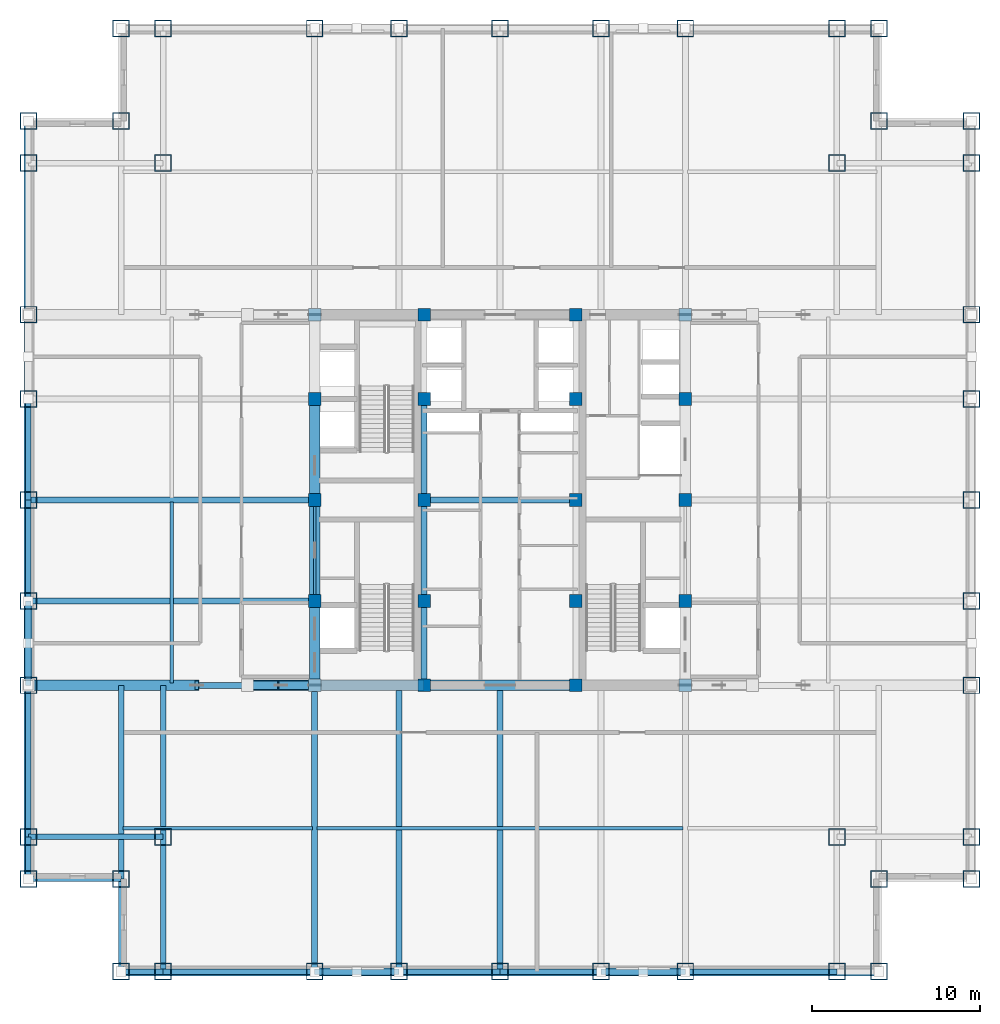
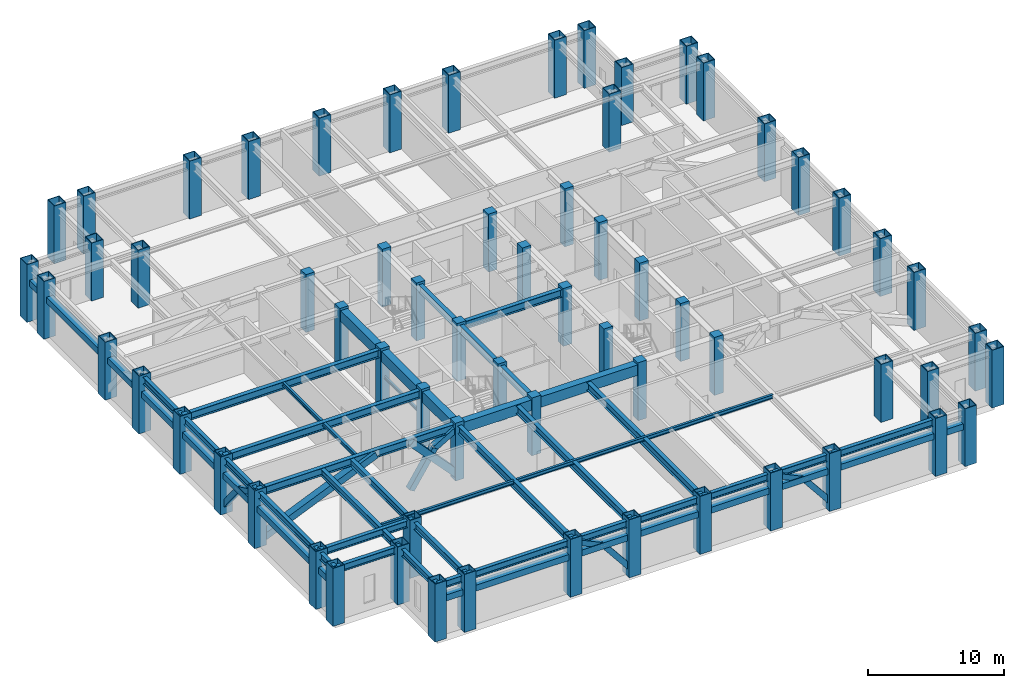
# One storey, part 1 of 11: 64 columns, 36 beams, 12 members.
"""IFC4 building model written with IfcOpenShell, lengths in metres."""

from ifc_helpers import new_model, si_unit, direction, frame, origin, origin_2d, place, context, subcontext, project, spatial, rectangle, hollow_rectangle, i_section, extrude, source, transform, mapped, material, material_profile, profile_set, type_object, element, save


model = new_model("IFC4")

# Units and contexts
model_context = context("Model", 3, precision=1e-05, world=origin(), true_north=direction((0.0, 1.0)))
body_context = subcontext(model_context, "Body", "Model", "MODEL_VIEW")
ifc_project = project(units=[si_unit("LENGTHUNIT", "METRE"), si_unit("AREAUNIT", "SQUARE_METRE"), si_unit("VOLUMEUNIT", "CUBIC_METRE"), si_unit("PLANEANGLEUNIT", "RADIAN"), si_unit("MASSUNIT", "GRAM", prefix="KILO")], contexts=[model_context])

# Site, building, storey
site_placement = place(None, origin())
site = spatial("IfcSite", under=ifc_project, at=site_placement, CompositionType="ELEMENT")
building_placement = place(site_placement, origin())
building = spatial("IfcBuilding", under=site, at=building_placement, Name="Khorayat Bourse Tower", CompositionType="ELEMENT")
storey_placement = place(building_placement, frame((0.0, 0.0, 268.300048828125)))
storey = spatial("IfcBuildingStorey", under=building, at=storey_placement, Name="L63", CompositionType="ELEMENT", Elevation=268.300048828125)

# Columns
ifc_material_1 = material(Name="Steel EN 10025-4 S460M", Category="steel")
ifc_material_profile_1 = material_profile(ifc_material_1, hollow_rectangle(XDim=1.0, YDim=1.0, WallThickness=0.054931640625, at=origin_2d()), Name="BOX 1000x1000x55")
ifc_profile_set_1 = profile_set([ifc_material_profile_1], Name="Steel EN 10025-4 S460M")
column_type_1 = type_object("IfcColumnType", Name="COL-TUBE-1000", PredefinedType="COLUMN", material=ifc_profile_set_1)
shared_shape_1 = source(origin(), body_context, "Body", "SweptSolid", [
    extrude(hollow_rectangle(XDim=1.0, YDim=1.0, WallThickness=0.054931640625, at=origin_2d()), origin(), (0.0, 0.0, 1.0), 5.199951171875),
])
for number, where, z_axis, x_axis, name in (
    (1, (-28.0, -22.5, 0.0), (0.0, 0.0, 1.0), (1.0, 0.0, 0.0), "L63 Column 001"),
    (2, (-28.0, -20.0, 0.0), (0.0, 0.0, 1.0), (1.0, 0.0, 0.0), "L63 Column 002"),
    (3, (-28.0, -11.0, 0.0), (0.0, 0.0, 1.0), (1.0, 0.0, 0.0), "L63 Column 003"),
    (4, (-28.0, -6.0, 0.0), (0.0, 0.0, 1.0), (1.0, 0.0, 0.0), "L63 Column 004"),
    (5, (-28.0, 0.0, 0.0), (0.0, 0.0, 1.0), (1.0, 0.0, 0.0), "L63 Column 005"),
    (6, (-28.0, 6.0, 0.0), (0.0, 0.0, 1.0), (1.0, 0.0, 0.0), "L63 Column 006"),
    (7, (-28.0, 11.0, 0.0), (0.0, 0.0, 1.0), (1.0, 0.0, 0.0), "L63 Column 007"),
    (8, (-28.0, 20.0, 0.0), (0.0, 0.0, 1.0), (1.0, 0.0, 0.0), "L63 Column 008"),
    (9, (-28.0, 22.5, 0.0), (0.0, 0.0, 1.0), (1.0, 0.0, 0.0), "L63 Column 009"),
    (10, (-22.5, -28.0, 0.0), (0.0, 0.0, 1.0), (1.0, 0.0, 0.0), "L63 Column 010"),
    (11, (-22.5, -22.5, 0.0), (0.0, 0.0, 1.0), (1.0, 0.0, 0.0), "L63 Column 011"),
    (12, (-22.5, 22.5, 0.0), (0.0, 0.0, 1.0), (1.0, 0.0, 0.0), "L63 Column 012"),
    (13, (-22.5, 28.0, 0.0), (0.0, 0.0, 1.0), (1.0, 0.0, 0.0), "L63 Column 013"),
    (14, (-20.0, -28.0, 0.0), (0.0, 0.0, 1.0), (1.0, 0.0, 0.0), "L63 Column 014"),
    (15, (-20.0, -20.0, 0.0), (0.0, 0.0, 1.0), (1.0, 0.0, 0.0), "L63 Column 015"),
    (16, (-20.0, 20.0, 0.0), (0.0, 0.0, 1.0), (1.0, 0.0, 0.0), "L63 Column 016"),
    (17, (-20.0, 28.0, 0.0), (0.0, 0.0, 1.0), (1.0, 0.0, 0.0), "L63 Column 017"),
    (18, (-11.0, -28.0, 0.0), (0.0, 0.0, 1.0), (1.0, 0.0, 0.0), "L63 Column 018"),
    (19, (-11.0, 28.0, 0.0), (0.0, 0.0, 1.0), (1.0, 0.0, 0.0), "L63 Column 024"),
    (20, (-6.0, -28.0, 0.0), (0.0, 0.0, 1.0), (1.0, 0.0, 0.0), "L63 Column 025"),
    (21, (-6.0, 28.0, 0.0), (0.0, 0.0, 1.0), (1.0, 0.0, 0.0), "L63 Column 026"),
    (22, (0.0, -28.0, 0.0), (0.0, 0.0, 1.0), (1.0, 0.0, 0.0), "L63 Column 032"),
    (23, (0.0, 28.0, 0.0), (0.0, 0.0, 1.0), (1.0, 0.0, 0.0), "L63 Column 033"),
    (24, (6.0, -28.0, 0.0), (0.0, 0.0, 1.0), (1.0, 0.0, 0.0), "L63 Column 039"),
    (25, (6.0, 28.0, 0.0), (0.0, 0.0, 1.0), (1.0, 0.0, 0.0), "L63 Column 040"),
    (26, (11.0, -28.0, 0.0), (0.0, 0.0, 1.0), (1.0, 0.0, 0.0), "L63 Column 041"),
    (27, (11.0, 28.0, 0.0), (0.0, 0.0, 1.0), (1.0, 0.0, 0.0), "L63 Column 047"),
    (28, (20.0, -28.0, 0.0), (0.0, 0.0, 1.0), (1.0, 0.0, 0.0), "L63 Column 048"),
    (29, (20.0, -20.0, 0.0), (0.0, 0.0, 1.0), (1.0, 0.0, 0.0), "L63 Column 049"),
    (30, (20.0, 20.0, 0.0), (0.0, 0.0, 1.0), (1.0, 0.0, 0.0), "L63 Column 050"),
    (31, (20.0, 28.0, 0.0), (0.0, 0.0, 1.0), (1.0, 0.0, 0.0), "L63 Column 051"),
    (32, (22.5, -28.0, 0.0), (0.0, 0.0, 1.0), (1.0, 0.0, 0.0), "L63 Column 052"),
    (33, (22.5, -22.5, 0.0), (0.0, 0.0, 1.0), (1.0, 0.0, 0.0), "L63 Column 053"),
    (34, (22.5, 22.5, 0.0), (0.0, 0.0, 1.0), (1.0, 0.0, 0.0), "L63 Column 054"),
    (35, (22.5, 28.0, 0.0), (0.0, 0.0, 1.0), (1.0, 0.0, 0.0), "L63 Column 055"),
    (36, (28.0, -22.5, 0.0), (0.0, 0.0, 1.0), (1.0, 0.0, 0.0), "L63 Column 056"),
    (37, (28.0, -20.0, 0.0), (0.0, 0.0, 1.0), (1.0, 0.0, 0.0), "L63 Column 057"),
    (38, (28.0, -11.0, 0.0), (0.0, 0.0, 1.0), (1.0, 0.0, 0.0), "L63 Column 058"),
    (39, (28.0, -6.0, 0.0), (0.0, 0.0, 1.0), (1.0, 0.0, 0.0), "L63 Column 059"),
    (40, (28.0, 0.0, 0.0), (0.0, 0.0, 1.0), (1.0, 0.0, 0.0), "L63 Column 060"),
    (41, (28.0, 6.0, 0.0), (0.0, 0.0, 1.0), (1.0, 0.0, 0.0), "L63 Column 061"),
    (42, (28.0, 11.0, 0.0), (0.0, 0.0, 1.0), (1.0, 0.0, 0.0), "L63 Column 062"),
    (43, (28.0, 20.0, 0.0), (0.0, 0.0, 1.0), (1.0, 0.0, 0.0), "L63 Column 063"),
    (44, (28.0, 22.5, 0.0), (0.0, 0.0, 1.0), (1.0, 0.0, 0.0), "L63 Column 064"),
):
    element("IfcColumn", number, at=place(storey_placement, frame(where, z_axis=z_axis, x_axis=x_axis)), inside=storey, type_object=column_type_1, Name=name, PredefinedType="COLUMN", context=body_context, shape_type="MappedRepresentation", body=[
        mapped(shared_shape_1, transform((0.0, 0.0, 0.0), scale=1.0)),
    ])
ifc_material_2 = material(Name="Concrete C52/65", Category="concrete")
ifc_material_profile_2 = material_profile(ifc_material_2, rectangle(XDim=0.75, YDim=0.75, at=origin_2d()), Name="RC 750x750")
ifc_profile_set_2 = profile_set([ifc_material_profile_2], Name="Concrete C52/65")
column_type_2 = type_object("IfcColumnType", Name="COL-CORE-750", PredefinedType="COLUMN", material=ifc_profile_set_2)
shared_shape_2 = source(origin(), body_context, "Body", "SweptSolid", [
    extrude(rectangle(XDim=0.75, YDim=0.75, at=origin_2d()), origin(), (0.0, 0.0, 1.0), 5.199951171875),
])
for number, where, z_axis, x_axis, name in (
    (45, (-11.0, -11.0, 0.0), (0.0, 0.0, 1.0), (1.0, 0.0, 0.0), "L63 Column 019"),
    (46, (-11.0, -6.0, 0.0), (0.0, 0.0, 1.0), (1.0, 0.0, 0.0), "L63 Column 020"),
    (47, (-11.0, 0.0, 0.0), (0.0, 0.0, 1.0), (1.0, 0.0, 0.0), "L63 Column 021"),
    (48, (-11.0, 6.0, 0.0), (0.0, 0.0, 1.0), (1.0, 0.0, 0.0), "L63 Column 022"),
    (49, (-11.0, 11.0, 0.0), (0.0, 0.0, 1.0), (1.0, 0.0, 0.0), "L63 Column 023"),
    (50, (-4.5, -11.0, 0.0), (0.0, 0.0, 1.0), (1.0, 0.0, 0.0), "L63 Column 027"),
    (51, (-4.5, -6.0, 0.0), (0.0, 0.0, 1.0), (1.0, 0.0, 0.0), "L63 Column 028"),
    (52, (-4.5, 0.0, 0.0), (0.0, 0.0, 1.0), (1.0, 0.0, 0.0), "L63 Column 029"),
    (53, (-4.5, 6.0, 0.0), (0.0, 0.0, 1.0), (1.0, 0.0, 0.0), "L63 Column 030"),
    (54, (-4.5, 11.0, 0.0), (0.0, 0.0, 1.0), (1.0, 0.0, 0.0), "L63 Column 031"),
    (55, (4.5, -11.0, 0.0), (0.0, 0.0, 1.0), (1.0, 0.0, 0.0), "L63 Column 034"),
    (56, (4.5, -6.0, 0.0), (0.0, 0.0, 1.0), (1.0, 0.0, 0.0), "L63 Column 035"),
    (57, (4.5, 0.0, 0.0), (0.0, 0.0, 1.0), (1.0, 0.0, 0.0), "L63 Column 036"),
    (58, (4.5, 6.0, 0.0), (0.0, 0.0, 1.0), (1.0, 0.0, 0.0), "L63 Column 037"),
    (59, (4.5, 11.0, 0.0), (0.0, 0.0, 1.0), (1.0, 0.0, 0.0), "L63 Column 038"),
    (60, (11.0, -11.0, 0.0), (0.0, 0.0, 1.0), (1.0, 0.0, 0.0), "L63 Column 042"),
    (61, (11.0, -6.0, 0.0), (0.0, 0.0, 1.0), (1.0, 0.0, 0.0), "L63 Column 043"),
    (62, (11.0, 0.0, 0.0), (0.0, 0.0, 1.0), (1.0, 0.0, 0.0), "L63 Column 044"),
    (63, (11.0, 6.0, 0.0), (0.0, 0.0, 1.0), (1.0, 0.0, 0.0), "L63 Column 045"),
    (64, (11.0, 11.0, 0.0), (0.0, 0.0, 1.0), (1.0, 0.0, 0.0), "L63 Column 046"),
):
    element("IfcColumn", number, at=place(storey_placement, frame(where, z_axis=z_axis, x_axis=x_axis)), inside=storey, type_object=column_type_2, Name=name, PredefinedType="COLUMN", context=body_context, shape_type="MappedRepresentation", body=[
        mapped(shared_shape_2, transform((0.0, 0.0, 0.0), scale=1.0)),
    ])

# Beams
ifc_material_3 = material(Name="Steel ASTM A992 Grade 50", Category="steel")
ifc_material_profile_3 = material_profile(ifc_material_3, i_section(OverallWidth=0.35498046875, OverallDepth=0.695068359375, WebThickness=0.015380859375, FlangeThickness=0.02490234375, FilletRadius=0.01806640625, at=origin_2d()), Name="W690X217")
ifc_profile_set_3 = profile_set([ifc_material_profile_3], Name="Steel ASTM A992 Grade 50")
beam_type_1 = type_object("IfcBeamType", Name="BM-GIRD-690", PredefinedType="BEAM", material=ifc_profile_set_3)
shared_shape_3 = source(origin(), body_context, "Body", "SweptSolid", [
    extrude(i_section(OverallWidth=0.35498046875, OverallDepth=0.695068359375, WebThickness=0.015380859375, FlangeThickness=0.02490234375, FilletRadius=0.01806640625, at=origin_2d()), origin(), (0.0, 0.0, 1.0), 5.0),
])
beam_1_placement = place(storey_placement, frame((-4.5, -11.0, 4.632568359375), z_axis=(0.0, 1.0, 0.0), x_axis=(-1.0, 0.0, 0.0)))
element("IfcBeam", 65, at=beam_1_placement, inside=storey, type_object=beam_type_1, Name="L63 BM-GIRD-690 BM-L63-CRX-05", PredefinedType="BEAM", context=body_context, shape_type="MappedRepresentation", body=[
    mapped(shared_shape_3, transform((0.0, 0.0, 0.0), scale=1.0)),
])
shared_shape_4 = source(origin(), body_context, "Body", "SweptSolid", [
    extrude(i_section(OverallWidth=0.35498046875, OverallDepth=0.695068359375, WebThickness=0.015380859375, FlangeThickness=0.02490234375, FilletRadius=0.01806640625, at=origin_2d()), origin(), (0.0, 0.0, 1.0), 6.0),
])
for number, where, z_axis, x_axis, name in (
    (66, (-4.5, -6.0, 4.632568359375), (0.0, 1.0, 0.0), (-1.0, 0.0, 0.0), "L63 BM-GIRD-690 BM-L63-CRX-06"),
    (67, (-4.5, 0.0, 4.632568359375), (0.0, 1.0, 0.0), (-1.0, 0.0, 0.0), "L63 BM-GIRD-690 BM-L63-CRX-07"),
):
    element("IfcBeam", number, at=place(storey_placement, frame(where, z_axis=z_axis, x_axis=x_axis)), inside=storey, type_object=beam_type_1, Name=name, PredefinedType="BEAM", context=body_context, shape_type="MappedRepresentation", body=[
        mapped(shared_shape_4, transform((0.0, 0.0, 0.0), scale=1.0)),
    ])
shared_shape_5 = source(origin(), body_context, "Body", "SweptSolid", [
    extrude(i_section(OverallWidth=0.35498046875, OverallDepth=0.695068359375, WebThickness=0.015380859375, FlangeThickness=0.02490234375, FilletRadius=0.01806640625, at=origin_2d()), origin(), (0.0, 0.0, 1.0), 9.0),
])
beam_2_placement = place(storey_placement, frame((-4.5, 0.0, 4.632568359375), z_axis=(1.0, 0.0, 0.0), x_axis=(0.0, 1.0, 0.0)))
element("IfcBeam", 68, at=beam_2_placement, inside=storey, type_object=beam_type_1, Name="L63 BM-GIRD-690 BM-L63-CRY-23", PredefinedType="BEAM", context=body_context, shape_type="MappedRepresentation", body=[
    mapped(shared_shape_5, transform((0.0, 0.0, 0.0), scale=1.0)),
])
ifc_material_profile_4 = material_profile(ifc_material_3, i_section(OverallWidth=0.14697265625, OverallDepth=0.261962890625, WebThickness=0.006591796875, FlangeThickness=0.01123046875, FilletRadius=0.008056640625, at=origin_2d()), Name="W250X39")
ifc_profile_set_4 = profile_set([ifc_material_profile_4], Name="Steel ASTM A992 Grade 50")
beam_type_2 = type_object("IfcBeamType", Name="BM-LINTEL-250", PredefinedType="LINTEL", material=ifc_profile_set_4)
shared_shape_6 = source(origin(), body_context, "Body", "SweptSolid", [
    extrude(i_section(OverallWidth=0.14697265625, OverallDepth=0.261962890625, WebThickness=0.006591796875, FlangeThickness=0.01123046875, FilletRadius=0.008056640625, at=origin_2d()), origin(), (0.0, 0.0, 1.0), 6.0),
])
beam_3_placement = place(storey_placement, frame((-11.0, -6.0, 2.550048828125), z_axis=(0.0, 1.0, 0.0), x_axis=(-1.0, 0.0, 0.0)))
element("IfcBeam", 69, at=beam_3_placement, inside=storey, type_object=beam_type_2, Name="L63 Core Opening Lintel 01", PredefinedType="LINTEL", context=body_context, shape_type="MappedRepresentation", body=[
    mapped(shared_shape_6, transform((0.0, 0.0, 0.0), scale=1.0)),
])
ifc_material_profile_5 = material_profile(ifc_material_3, i_section(OverallWidth=0.324951171875, OverallDepth=0.615966796875, WebThickness=0.013916015625, FlangeThickness=0.021484375, FilletRadius=0.01611328125, at=origin_2d()), Name="W610X174")
ifc_profile_set_5 = profile_set([ifc_material_profile_5], Name="Steel ASTM A992 Grade 50")
beam_type_3 = type_object("IfcBeamType", Name="BM-GIRD-610", PredefinedType="BEAM", material=ifc_profile_set_5)
shared_shape_7 = source(origin(), body_context, "Body", "SweptSolid", [
    extrude(i_section(OverallWidth=0.324951171875, OverallDepth=0.615966796875, WebThickness=0.013916015625, FlangeThickness=0.021484375, FilletRadius=0.01611328125, at=origin_2d()), origin(), (0.0, 0.0, 1.0), 17.0),
])
beam_4_placement = place(storey_placement, frame((-20.0, -28.0, 4.592041015625), z_axis=(0.0, 1.0, 0.0), x_axis=(-1.0, 0.0, 0.0)))
element("IfcBeam", 70, at=beam_4_placement, inside=storey, type_object=beam_type_3, Name="L63 BM-GIRD-610 BM-L63-CNRY-084", PredefinedType="BEAM", context=body_context, shape_type="MappedRepresentation", body=[
    mapped(shared_shape_7, transform((0.0, 0.0, 0.0), scale=1.0)),
])

# Members
ifc_material_profile_6 = material_profile(ifc_material_1, hollow_rectangle(XDim=0.60009765625, YDim=0.60009765625, WallThickness=0.034912109375, at=origin_2d()), Name="BOX 600x600x35")
ifc_profile_set_6 = profile_set([ifc_material_profile_6], Name="Steel EN 10025-4 S460M")
member_type_1 = type_object("IfcMemberType", Name="MBR-OUTRIG-600", PredefinedType="BRACE", material=ifc_profile_set_6)
shared_shape_8 = source(origin(), body_context, "Body", "SweptSolid", [
    extrude(hollow_rectangle(XDim=0.60009765625, YDim=0.60009765625, WallThickness=0.034912109375, at=origin_2d()), origin(), (0.0, 0.0, 1.0), 5.858154296875),
])
member_1_placement = place(storey_placement, frame((-11.0, -11.0, 0.349853515625), z_axis=(-0.682802163589, 0.0, 0.730603316033), x_axis=(0.0, -1.0, 0.0)))
element("IfcMember", 71, at=member_1_placement, inside=storey, type_object=member_type_1, Name="L63 Outrigger Truss Diagonal 01", PredefinedType="BRACE", context=body_context, shape_type="MappedRepresentation", body=[
    mapped(shared_shape_8, transform((0.0, 0.0, 0.0), scale=1.0)),
])
ifc_material_profile_7 = material_profile(ifc_material_1, hollow_rectangle(XDim=0.5, YDim=0.5, WallThickness=0.028076171875, at=origin_2d()), Name="HSS 500x500x28")
ifc_profile_set_7 = profile_set([ifc_material_profile_7], Name="Steel EN 10025-4 S460M")
member_type_2 = type_object("IfcMemberType", Name="MBR-TRUSS-500", PredefinedType="CHORD", material=ifc_profile_set_7)
shared_shape_9 = source(origin(), body_context, "Body", "SweptSolid", [
    extrude(hollow_rectangle(XDim=0.5, YDim=0.5, WallThickness=0.028076171875, at=origin_2d()), origin(), (0.0, 0.0, 1.0), 2.322021484375),
])
member_2_placement = place(storey_placement, frame((-11.0, -11.0, 4.6298828125), z_axis=(-0.861282141097, 0.0, -0.508127024893), x_axis=(0.0, -1.0, 0.0)))
element("IfcMember", 72, at=member_2_placement, inside=storey, type_object=member_type_2, Name="L63 Plant Belt Web Diagonal 01", PredefinedType="CHORD", context=body_context, shape_type="MappedRepresentation", body=[
    mapped(shared_shape_9, transform((0.0, 0.0, 0.0), scale=1.0)),
])
shared_shape_10 = source(origin(), body_context, "Body", "SweptSolid", [
    extrude(hollow_rectangle(XDim=0.5, YDim=0.5, WallThickness=0.028076171875, at=origin_2d()), origin(), (0.0, 0.0, 1.0), 3.689208984375),
])
member_3_placement = place(storey_placement, frame((-13.0, -11.0, 3.449951171875), z_axis=(-0.542114811222, 0.0, -0.840304427844), x_axis=(0.0, -1.0, 0.0)))
element("IfcMember", 73, at=member_3_placement, inside=storey, type_object=member_type_2, Name="L63 Plant Belt Web Diagonal 02", PredefinedType="CHORD", context=body_context, shape_type="MappedRepresentation", body=[
    mapped(shared_shape_10, transform((0.0, 0.0, 0.0), scale=1.0)),
])

# Beams
ifc_material_profile_8 = material_profile(ifc_material_3, i_section(OverallWidth=0.324951171875, OverallDepth=0.615966796875, WebThickness=0.013916015625, FlangeThickness=0.021484375, FilletRadius=0.01611328125, at=origin_2d()), Name="W610X174")
ifc_profile_set_8 = profile_set([ifc_material_profile_8], Name="Steel ASTM A992 Grade 50")
beam_type_4 = type_object("IfcBeamType", Name="BM-SPAN-610", PredefinedType="SPANDREL", material=ifc_profile_set_8)
shared_shape_11 = source(origin(), body_context, "Body", "SweptSolid", [
    extrude(i_section(OverallWidth=0.324951171875, OverallDepth=0.615966796875, WebThickness=0.013916015625, FlangeThickness=0.021484375, FilletRadius=0.01611328125, at=origin_2d()), origin(), (0.0, 0.0, 1.0), 5.5),
])
for number, where, z_axis, x_axis, name in (
    (74, (-28.0, -22.5, 4.671875), (1.0, 0.0, 0.0), (0.0, 1.0, 0.0), "L63 BM-SPAN-610 BM-L63-SPN-062"),
    (75, (-22.5, -28.0, 4.592041015625), (0.0, 1.0, 0.0), (-1.0, 0.0, 0.0), "L63 BM-SPAN-610 BM-L63-SPN-063"),
):
    element("IfcBeam", number, at=place(storey_placement, frame(where, z_axis=z_axis, x_axis=x_axis)), inside=storey, type_object=beam_type_4, Name=name, PredefinedType="SPANDREL", context=body_context, shape_type="MappedRepresentation", body=[
        mapped(shared_shape_11, transform((0.0, 0.0, 0.0), scale=1.0)),
    ])
shared_shape_12 = source(origin(), body_context, "Body", "SweptSolid", [
    extrude(i_section(OverallWidth=0.324951171875, OverallDepth=0.615966796875, WebThickness=0.013916015625, FlangeThickness=0.021484375, FilletRadius=0.01611328125, at=origin_2d()), origin(), (0.0, 0.0, 1.0), 9.0),
])
for number, where, z_axis, x_axis, name in (
    (76, (-20.0, -28.0, 4.592041015625), (1.0, 0.0, 0.0), (0.0, 1.0, 0.0), "L63 BM-SPAN-610 BM-L63-SPN-025"),
    (77, (11.0, -28.0, 4.592041015625), (1.0, 0.0, 0.0), (0.0, 1.0, 0.0), "L63 BM-SPAN-610 BM-L63-SPN-030"),
    (78, (-28.0, -20.0, 4.671875), (0.0, 1.0, 0.0), (-1.0, 0.0, 0.0), "L63 BM-SPAN-610 BM-L63-SPN-060"),
):
    element("IfcBeam", number, at=place(storey_placement, frame(where, z_axis=z_axis, x_axis=x_axis)), inside=storey, type_object=beam_type_4, Name=name, PredefinedType="SPANDREL", context=body_context, shape_type="MappedRepresentation", body=[
        mapped(shared_shape_12, transform((0.0, 0.0, 0.0), scale=1.0)),
    ])
shared_shape_13 = source(origin(), body_context, "Body", "SweptSolid", [
    extrude(i_section(OverallWidth=0.324951171875, OverallDepth=0.615966796875, WebThickness=0.013916015625, FlangeThickness=0.021484375, FilletRadius=0.01611328125, at=origin_2d()), origin(), (0.0, 0.0, 1.0), 5.0),
])
for number, where, z_axis, x_axis, name in (
    (79, (-11.0, -28.0, 4.592041015625), (1.0, 0.0, 0.0), (0.0, 1.0, 0.0), "L63 BM-SPAN-610 BM-L63-SPN-026"),
    (80, (6.0, -28.0, 4.592041015625), (1.0, 0.0, 0.0), (0.0, 1.0, 0.0), "L63 BM-SPAN-610 BM-L63-SPN-029"),
    (81, (-28.0, -11.0, 4.671875), (0.0, 1.0, 0.0), (-1.0, 0.0, 0.0), "L63 BM-SPAN-610 BM-L63-SPN-059"),
):
    element("IfcBeam", number, at=place(storey_placement, frame(where, z_axis=z_axis, x_axis=x_axis)), inside=storey, type_object=beam_type_4, Name=name, PredefinedType="SPANDREL", context=body_context, shape_type="MappedRepresentation", body=[
        mapped(shared_shape_13, transform((0.0, 0.0, 0.0), scale=1.0)),
    ])
shared_shape_14 = source(origin(), body_context, "Body", "SweptSolid", [
    extrude(i_section(OverallWidth=0.324951171875, OverallDepth=0.615966796875, WebThickness=0.013916015625, FlangeThickness=0.021484375, FilletRadius=0.01611328125, at=origin_2d()), origin(), (0.0, 0.0, 1.0), 6.0),
])
for number, where, z_axis, x_axis, name in (
    (82, (-6.0, -28.0, 4.592041015625), (1.0, 0.0, 0.0), (0.0, 1.0, 0.0), "L63 BM-SPAN-610 BM-L63-SPN-027"),
    (83, (0.0, -28.0, 4.592041015625), (1.0, 0.0, 0.0), (0.0, 1.0, 0.0), "L63 BM-SPAN-610 BM-L63-SPN-028"),
    (84, (-28.0, 0.0, 4.671875), (0.0, 1.0, 0.0), (-1.0, 0.0, 0.0), "L63 BM-SPAN-610 BM-L63-SPN-057"),
    (85, (-28.0, -6.0, 4.671875), (0.0, 1.0, 0.0), (-1.0, 0.0, 0.0), "L63 BM-SPAN-610 BM-L63-SPN-058"),
):
    element("IfcBeam", number, at=place(storey_placement, frame(where, z_axis=z_axis, x_axis=x_axis)), inside=storey, type_object=beam_type_4, Name=name, PredefinedType="SPANDREL", context=body_context, shape_type="MappedRepresentation", body=[
        mapped(shared_shape_14, transform((0.0, 0.0, 0.0), scale=1.0)),
    ])
ifc_material_4 = material(Name="Concrete C60/75", Category="concrete")
ifc_material_profile_9 = material_profile(ifc_material_4, rectangle(XDim=0.60009765625, YDim=0.949951171875, at=origin_2d()), Name="RC 600x950")
ifc_profile_set_9 = profile_set([ifc_material_profile_9], Name="Concrete C60/75")
beam_type_5 = type_object("IfcBeamType", Name="BM-COUP-950", PredefinedType="BEAM", material=ifc_profile_set_9)
shared_shape_15 = source(origin(), body_context, "Body", "SweptSolid", [
    extrude(rectangle(XDim=0.60009765625, YDim=0.949951171875, at=origin_2d()), origin(), (0.0, 0.0, 1.0), 5.0),
])
beam_5_placement = place(storey_placement, frame((-11.0, -11.0, 4.5048828125), z_axis=(0.0, 1.0, 0.0), x_axis=(-1.0, 0.0, 0.0)))
element("IfcBeam", 86, at=beam_5_placement, inside=storey, type_object=beam_type_5, Name="L63 BM-COUP-950 BM-L63-CRX-01", PredefinedType="BEAM", context=body_context, shape_type="MappedRepresentation", body=[
    mapped(shared_shape_15, transform((0.0, 0.0, 0.0), scale=1.0)),
])
shared_shape_16 = source(origin(), body_context, "Body", "SweptSolid", [
    extrude(rectangle(XDim=0.60009765625, YDim=0.949951171875, at=origin_2d()), origin(), (0.0, 0.0, 1.0), 6.0),
])
for number, where, z_axis, x_axis, name in (
    (87, (-11.0, -6.0, 4.5048828125), (0.0, 1.0, 0.0), (-1.0, 0.0, 0.0), "L63 BM-COUP-950 BM-L63-CRX-02"),
    (88, (-11.0, 0.0, 4.5048828125), (0.0, 1.0, 0.0), (-1.0, 0.0, 0.0), "L63 BM-COUP-950 BM-L63-CRX-03"),
):
    element("IfcBeam", number, at=place(storey_placement, frame(where, z_axis=z_axis, x_axis=x_axis)), inside=storey, type_object=beam_type_5, Name=name, PredefinedType="BEAM", context=body_context, shape_type="MappedRepresentation", body=[
        mapped(shared_shape_16, transform((0.0, 0.0, 0.0), scale=1.0)),
    ])
shared_shape_17 = source(origin(), body_context, "Body", "SweptSolid", [
    extrude(rectangle(XDim=0.60009765625, YDim=0.949951171875, at=origin_2d()), origin(), (0.0, 0.0, 1.0), 6.5),
])
beam_6_placement = place(storey_placement, frame((-11.0, -11.0, 4.5048828125), z_axis=(1.0, 0.0, 0.0), x_axis=(0.0, 1.0, 0.0)))
element("IfcBeam", 89, at=beam_6_placement, inside=storey, type_object=beam_type_5, Name="L63 BM-COUP-950 BM-L63-CRY-17", PredefinedType="BEAM", context=body_context, shape_type="MappedRepresentation", body=[
    mapped(shared_shape_17, transform((0.0, 0.0, 0.0), scale=1.0)),
])
shared_shape_18 = source(origin(), body_context, "Body", "SweptSolid", [
    extrude(rectangle(XDim=0.60009765625, YDim=0.949951171875, at=origin_2d()), origin(), (0.0, 0.0, 1.0), 9.0),
])
beam_7_placement = place(storey_placement, frame((-4.5, -11.0, 4.5048828125), z_axis=(1.0, 0.0, 0.0), x_axis=(0.0, 1.0, 0.0)))
element("IfcBeam", 90, at=beam_7_placement, inside=storey, type_object=beam_type_5, Name="L63 BM-COUP-950 BM-L63-CRY-18", PredefinedType="BEAM", context=body_context, shape_type="MappedRepresentation", body=[
    mapped(shared_shape_18, transform((0.0, 0.0, 0.0), scale=1.0)),
])
shared_shape_19 = source(origin(), body_context, "Body", "SweptSolid", [
    extrude(i_section(OverallWidth=0.324951171875, OverallDepth=0.615966796875, WebThickness=0.013916015625, FlangeThickness=0.021484375, FilletRadius=0.01611328125, at=origin_2d()), origin(), (0.0, 0.0, 1.0), 2.5),
])
for number, where, z_axis, x_axis, name in (
    (91, (-22.5, -28.0, 4.592041015625), (1.0, 0.0, 0.0), (0.0, 1.0, 0.0), "L63 BM-SPAN-610 BM-L63-SPN-024"),
    (92, (-28.0, -22.5, 4.671875), (0.0, 1.0, 0.0), (-1.0, 0.0, 0.0), "L63 BM-SPAN-610 BM-L63-SPN-061"),
):
    element("IfcBeam", number, at=place(storey_placement, frame(where, z_axis=z_axis, x_axis=x_axis)), inside=storey, type_object=beam_type_4, Name=name, PredefinedType="SPANDREL", context=body_context, shape_type="MappedRepresentation", body=[
        mapped(shared_shape_19, transform((0.0, 0.0, 0.0), scale=1.0)),
    ])
shared_shape_20 = source(origin(), body_context, "Body", "SweptSolid", [
    extrude(i_section(OverallWidth=0.35498046875, OverallDepth=0.695068359375, WebThickness=0.015380859375, FlangeThickness=0.02490234375, FilletRadius=0.01806640625, at=origin_2d()), origin(), (0.0, 0.0, 1.0), 17.0),
])
for number, where, z_axis, x_axis, name in (
    (93, (-11.0, -28.0, 4.552490234375), (0.0, 1.0, 0.0), (-1.0, 0.0, 0.0), "L63 BM-GIRD-690 BM-L63-RADY-065"),
    (94, (-6.0, -28.0, 4.552490234375), (0.0, 1.0, 0.0), (-1.0, 0.0, 0.0), "L63 BM-GIRD-690 BM-L63-RADY-067"),
    (95, (0.0, -28.0, 4.552490234375), (0.0, 1.0, 0.0), (-1.0, 0.0, 0.0), "L63 BM-GIRD-690 BM-L63-RADY-069"),
    (96, (-28.0, -11.0, 4.632568359375), (1.0, 0.0, 0.0), (0.0, 1.0, 0.0), "L63 BM-GIRD-690 BM-L63-RADX-075"),
    (97, (-28.0, -6.0, 4.632568359375), (1.0, 0.0, 0.0), (0.0, 1.0, 0.0), "L63 BM-GIRD-690 BM-L63-RADX-077"),
    (98, (-28.0, 0.0, 4.632568359375), (1.0, 0.0, 0.0), (0.0, 1.0, 0.0), "L63 BM-GIRD-690 BM-L63-RADX-079"),
):
    element("IfcBeam", number, at=place(storey_placement, frame(where, z_axis=z_axis, x_axis=x_axis)), inside=storey, type_object=beam_type_1, Name=name, PredefinedType="BEAM", context=body_context, shape_type="MappedRepresentation", body=[
        mapped(shared_shape_20, transform((0.0, 0.0, 0.0), scale=1.0)),
    ])
shared_shape_21 = source(origin(), body_context, "Body", "SweptSolid", [
    extrude(i_section(OverallWidth=0.324951171875, OverallDepth=0.615966796875, WebThickness=0.013916015625, FlangeThickness=0.021484375, FilletRadius=0.01611328125, at=origin_2d()), origin(), (0.0, 0.0, 1.0), 11.5),
])
beam_8_placement = place(storey_placement, frame((-22.5, -22.5, 4.592041015625), z_axis=(0.0, 1.0, 0.0), x_axis=(-1.0, 0.0, 0.0)))
element("IfcBeam", 99, at=beam_8_placement, inside=storey, type_object=beam_type_3, Name="L63 BM-GIRD-610 BM-L63-CNRY-088", PredefinedType="BEAM", context=body_context, shape_type="MappedRepresentation", body=[
    mapped(shared_shape_21, transform((0.0, 0.0, 0.0), scale=1.0)),
])
shared_shape_22 = source(origin(), body_context, "Body", "SweptSolid", [
    extrude(i_section(OverallWidth=0.324951171875, OverallDepth=0.615966796875, WebThickness=0.013916015625, FlangeThickness=0.021484375, FilletRadius=0.01611328125, at=origin_2d()), origin(), (0.0, 0.0, 1.0), 8.0),
])
beam_9_placement = place(storey_placement, frame((-28.0, -20.0, 4.671875), z_axis=(1.0, 0.0, 0.0), x_axis=(0.0, 1.0, 0.0)))
element("IfcBeam", 100, at=beam_9_placement, inside=storey, type_object=beam_type_3, Name="L63 BM-GIRD-610 BM-L63-CNRX-093", PredefinedType="BEAM", context=body_context, shape_type="MappedRepresentation", body=[
    mapped(shared_shape_22, transform((0.0, 0.0, 0.0), scale=1.0)),
])
ifc_material_profile_10 = material_profile(ifc_material_3, i_section(OverallWidth=0.202880859375, OverallDepth=0.346923828125, WebThickness=0.0078125, FlangeThickness=0.013427734375, FilletRadius=0.010009765625, at=origin_2d()), Name="W360X64")
ifc_profile_set_10 = profile_set([ifc_material_profile_10], Name="Steel ASTM A992 Grade 50")
beam_type_6 = type_object("IfcBeamType", Name="BM-JOIST-360", PredefinedType="JOIST", material=ifc_profile_set_10)
shared_shape_23 = source(origin(), body_context, "Body", "SweptSolid", [
    extrude(i_section(OverallWidth=0.202880859375, OverallDepth=0.346923828125, WebThickness=0.0078125, FlangeThickness=0.013427734375, FilletRadius=0.010009765625, at=origin_2d()), origin(), (0.0, 0.0, 1.0), 11.240234375),
])
beam_10_placement = place(storey_placement, frame((-22.3701171875, -19.5, 4.806396484375), z_axis=(1.0, 0.0, 0.0), x_axis=(0.0, 1.0, 0.0)))
element("IfcBeam", 101, at=beam_10_placement, inside=storey, type_object=beam_type_6, Name="L63 BM-JOIST-360 BM-L63-JSTX-096", PredefinedType="JOIST", context=body_context, shape_type="MappedRepresentation", body=[
    mapped(shared_shape_23, transform((0.0, 0.0, 0.0), scale=1.0)),
])
shared_shape_24 = source(origin(), body_context, "Body", "SweptSolid", [
    extrude(i_section(OverallWidth=0.202880859375, OverallDepth=0.346923828125, WebThickness=0.0078125, FlangeThickness=0.013427734375, FilletRadius=0.010009765625, at=origin_2d()), origin(), (0.0, 0.0, 1.0), 21.740234375),
])
beam_11_placement = place(storey_placement, frame((-10.8701171875, -19.5, 4.806396484375), z_axis=(1.0, 0.0, 0.0), x_axis=(0.0, 1.0, 0.0)))
element("IfcBeam", 102, at=beam_11_placement, inside=storey, type_object=beam_type_6, Name="L63 BM-JOIST-360 BM-L63-JSTX-097", PredefinedType="JOIST", context=body_context, shape_type="MappedRepresentation", body=[
    mapped(shared_shape_24, transform((0.0, 0.0, 0.0), scale=1.0)),
])
shared_shape_25 = source(origin(), body_context, "Body", "SweptSolid", [
    extrude(i_section(OverallWidth=0.202880859375, OverallDepth=0.346923828125, WebThickness=0.0078125, FlangeThickness=0.013427734375, FilletRadius=0.010009765625, at=origin_2d()), origin(), (0.0, 0.0, 1.0), 10.740234375),
])
beam_12_placement = place(storey_placement, frame((-19.5, -10.8701171875, 4.806396484375), z_axis=(0.0, 1.0, 0.0), x_axis=(-1.0, 0.0, 0.0)))
element("IfcBeam", 103, at=beam_12_placement, inside=storey, type_object=beam_type_6, Name="L63 BM-JOIST-360 BM-L63-JSTY-102", PredefinedType="JOIST", context=body_context, shape_type="MappedRepresentation", body=[
    mapped(shared_shape_25, transform((0.0, 0.0, 0.0), scale=1.0)),
])

# Members
ifc_material_profile_11 = material_profile(ifc_material_1, hollow_rectangle(XDim=0.449951171875, YDim=0.449951171875, WallThickness=0.02490234375, at=origin_2d()), Name="HSS 450x450x25")
ifc_profile_set_11 = profile_set([ifc_material_profile_11], Name="Steel EN 10025-4 S460M")
member_type_3 = type_object("IfcMemberType", Name="MBR-TUBE-450", PredefinedType="BRACE", material=ifc_profile_set_11)
shared_shape_26 = source(origin(), body_context, "Body", "SweptSolid", [
    extrude(hollow_rectangle(XDim=0.449951171875, YDim=0.449951171875, WallThickness=0.02490234375, at=origin_2d()), origin(), (0.0, 0.0, 1.0), 2.764404296875),
])
for number, where, z_axis, x_axis, name in (
    (104, (-11.0, -28.0, 4.6298828125), (0.904335771864, 0.0, -0.426821756389), (0.0, 1.0, 0.0), "L63 Perimeter Tube Brace 01"),
    (105, (6.0, -28.0, 4.6298828125), (0.904335771864, 0.0, -0.426821756389), (0.0, 1.0, 0.0), "L63 Perimeter Tube Brace 03"),
    (106, (-28.0, -11.0, 4.6298828125), (0.0, 0.904335771864, -0.426821756389), (-1.0, 0.0, 0.0), "L63 Perimeter Tube Brace 09"),
):
    element("IfcMember", number, at=place(storey_placement, frame(where, z_axis=z_axis, x_axis=x_axis)), inside=storey, type_object=member_type_3, Name=name, PredefinedType="BRACE", context=body_context, shape_type="MappedRepresentation", body=[
        mapped(shared_shape_26, transform((0.0, 0.0, 0.0), scale=1.0)),
    ])
shared_shape_27 = source(origin(), body_context, "Body", "SweptSolid", [
    extrude(hollow_rectangle(XDim=0.449951171875, YDim=0.449951171875, WallThickness=0.02490234375, at=origin_2d()), origin(), (0.0, 0.0, 1.0), 3.982421875),
])
for number, where, z_axis, x_axis, name in (
    (107, (-8.5, -28.0, 3.449951171875), (0.627740468857, 0.0, -0.778422702495), (0.0, 1.0, 0.0), "L63 Perimeter Tube Brace 02"),
    (108, (8.5, -28.0, 3.449951171875), (0.627740468857, 0.0, -0.778422702495), (0.0, 1.0, 0.0), "L63 Perimeter Tube Brace 04"),
    (109, (-28.0, -8.5, 3.449951171875), (0.0, 0.627740468857, -0.778422702495), (-1.0, 0.0, 0.0), "L63 Perimeter Tube Brace 10"),
):
    element("IfcMember", number, at=place(storey_placement, frame(where, z_axis=z_axis, x_axis=x_axis)), inside=storey, type_object=member_type_3, Name=name, PredefinedType="BRACE", context=body_context, shape_type="MappedRepresentation", body=[
        mapped(shared_shape_27, transform((0.0, 0.0, 0.0), scale=1.0)),
    ])
shared_shape_28 = source(origin(), body_context, "Body", "SweptSolid", [
    extrude(hollow_rectangle(XDim=0.60009765625, YDim=0.60009765625, WallThickness=0.034912109375, at=origin_2d()), origin(), (0.0, 0.0, 1.0), 10.87744140625),
])
member_4_placement = place(storey_placement, frame((-18.0, -11.0, 4.6298828125), z_axis=(-0.919334155848, 0.0, -0.393477712065), x_axis=(0.0, -1.0, 0.0)))
element("IfcMember", 110, at=member_4_placement, inside=storey, type_object=member_type_1, Name="L63 Outrigger Truss Diagonal 02", PredefinedType="BRACE", context=body_context, shape_type="MappedRepresentation", body=[
    mapped(shared_shape_28, transform((0.0, 0.0, 0.0), scale=1.0)),
])
ifc_material_profile_12 = material_profile(ifc_material_1, hollow_rectangle(XDim=0.550048828125, YDim=0.550048828125, WallThickness=0.031982421875, at=origin_2d()), Name="HSS 550x550x32")
ifc_profile_set_12 = profile_set([ifc_material_profile_12], Name="Steel EN 10025-4 S460M")
member_type_4 = type_object("IfcMemberType", Name="MBR-BELT-550", PredefinedType="CHORD", material=ifc_profile_set_12)
shared_shape_29 = source(origin(), body_context, "Body", "SweptSolid", [
    extrude(hollow_rectangle(XDim=0.550048828125, YDim=0.550048828125, WallThickness=0.031982421875, at=origin_2d()), origin(), (0.0, 0.0, 1.0), 45.0),
])
for number, where, z_axis, x_axis, name in (
    (111, (-22.5, -28.0, 3.449951171875), (1.0, 0.0, 0.0), (0.0, 1.0, 0.0), "L63 Belt Truss Mid Chord 01"),
    (112, (-28.0, -22.5, 3.449951171875), (0.0, 1.0, 0.0), (-1.0, 0.0, 0.0), "L63 Belt Truss Mid Chord 03"),
):
    element("IfcMember", number, at=place(storey_placement, frame(where, z_axis=z_axis, x_axis=x_axis)), inside=storey, type_object=member_type_4, Name=name, PredefinedType="CHORD", context=body_context, shape_type="MappedRepresentation", body=[
        mapped(shared_shape_29, transform((0.0, 0.0, 0.0), scale=1.0)),
    ])

save(model, "model.ifc")
